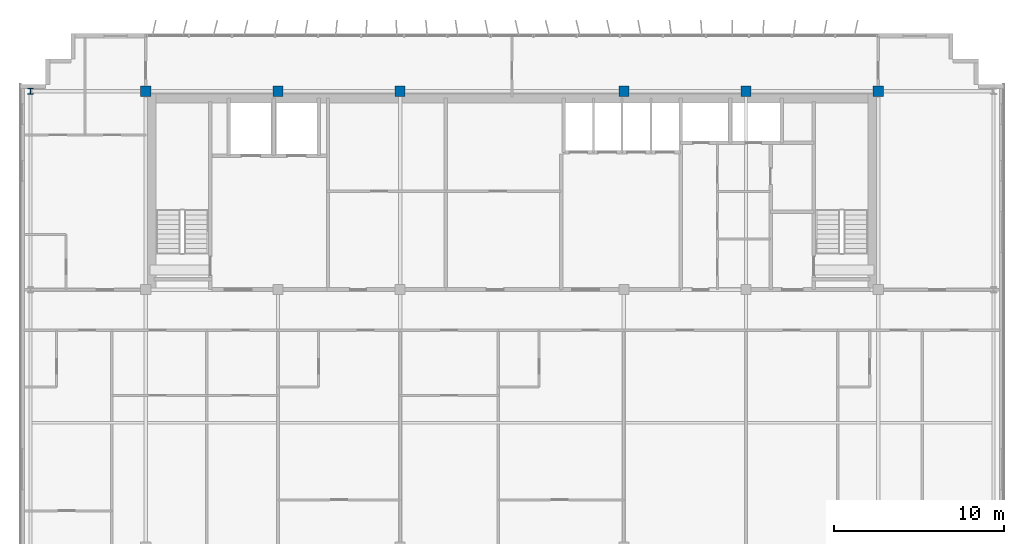
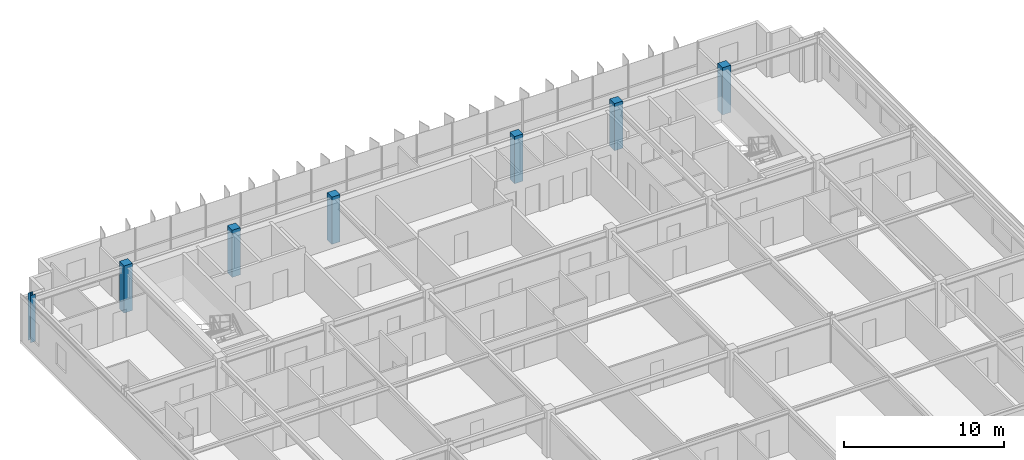
# One storey, part 3 of 23: 7 columns.
"""IFC4 building model written with IfcOpenShell, lengths in metres."""

from ifc_helpers import new_model, si_unit, direction, frame, origin, origin_2d, place, context, subcontext, project, spatial, rectangle, i_section, extrude, source, transform, mapped, material, material_profile, profile_set, type_object, element, save


model = new_model("IFC4")

# Units and contexts
model_context = context("Model", 3, precision=1e-05, world=origin(), true_north=direction((0.0, 1.0)))
body_context = subcontext(model_context, "Body", "Model", "MODEL_VIEW")
ifc_project = project(units=[si_unit("LENGTHUNIT", "METRE"), si_unit("AREAUNIT", "SQUARE_METRE"), si_unit("VOLUMEUNIT", "CUBIC_METRE"), si_unit("PLANEANGLEUNIT", "RADIAN"), si_unit("MASSUNIT", "GRAM", prefix="KILO")], contexts=[model_context])

# Site, building, storey
site_placement = place(None, origin())
site = spatial("IfcSite", under=ifc_project, at=site_placement, CompositionType="ELEMENT")
building_placement = place(site_placement, origin())
building = spatial("IfcBuilding", under=site, at=building_placement, Name="Trelvane Seafront Commons", CompositionType="ELEMENT")
storey_placement = place(building_placement, frame((0.0, 0.0, 259.5)))
storey = spatial("IfcBuildingStorey", under=building, at=storey_placement, Name="L67", CompositionType="ELEMENT", Elevation=259.5)

# Columns
ifc_material_1 = material(Name="Steel SM355 (S355)", Category="steel")
ifc_material_profile_1 = material_profile(ifc_material_1, i_section(OverallWidth=0.35009765625, OverallDepth=0.35009765625, WebThickness=0.01806640625, FlangeThickness=0.028076171875, at=origin_2d()), Name="HD-350x350x18x28")
ifc_profile_set_1 = profile_set([ifc_material_profile_1], Name="Steel SM355 (S355)")
column_type_1 = type_object("IfcColumnType", Name="STR-COL-HD350", PredefinedType="COLUMN", material=ifc_profile_set_1)
shared_shape_1 = source(origin(), body_context, "Body", "SweptSolid", [
    extrude(i_section(OverallWidth=0.35009765625, OverallDepth=0.35009765625, WebThickness=0.01806640625, FlangeThickness=0.028076171875, at=origin_2d()), origin(), (0.0, 0.0, 1.0), 3.60009765625),
])
column_placement = place(storey_placement, frame((8.800048828125, 45.10009765625, 0.0), z_axis=(0.0, 0.0, 1.0), x_axis=(1.0, 0.0, 0.0)))
element("IfcColumn", 1, at=column_placement, inside=storey, type_object=column_type_1, Name="L67 Column TC-CN8.8", PredefinedType="COLUMN", context=body_context, shape_type="MappedRepresentation", body=[
    mapped(shared_shape_1, transform((0.0, 0.0, 0.0), x_axis=(1.0, 0.0, 0.0), y_axis=(0.0, 1.0, 0.0), z_axis=(0.0, 0.0, 1.0), scale=1.0)),
])
ifc_material_2 = material(Name="Concrete C50/60", Category="concrete")
ifc_material_profile_2 = material_profile(ifc_material_2, rectangle(XDim=0.60009765625, YDim=0.60009765625, at=origin_2d()), Name="RC-600x600")
ifc_profile_set_2 = profile_set([ifc_material_profile_2], Name="Concrete C50/60")
column_type_2 = type_object("IfcColumnType", Name="STR-COL-RC600", PredefinedType="COLUMN", material=ifc_profile_set_2)
shared_shape_2 = source(origin(), body_context, "Body", "SweptSolid", [
    extrude(rectangle(XDim=0.60009765625, YDim=0.60009765625, at=origin_2d()), origin(), (0.0, 0.0, 1.0), 3.60009765625),
])
for number, where, z_axis, x_axis, name in (
    (2, (15.60009765625, 45.10009765625, 0.0), (0.0, 0.0, 1.0), (1.0, 0.0, 0.0), "L67 Column TC-CN15.6"),
    (3, (23.39990234375, 45.10009765625, 0.0), (0.0, 0.0, 1.0), (1.0, 0.0, 0.0), "L67 Column TC-CN23.4"),
    (4, (30.60009765625, 45.10009765625, 0.0), (0.0, 0.0, 1.0), (1.0, 0.0, 0.0), "L67 Column TC-CN30.6"),
    (5, (43.800048828125, 45.10009765625, 0.0), (0.0, 0.0, 1.0), (1.0, 0.0, 0.0), "L67 Column TC-CN43.8"),
    (6, (51.0, 45.10009765625, 0.0), (0.0, 0.0, 1.0), (1.0, 0.0, 0.0), "L67 Column TC-CN51.0"),
    (7, (58.800048828125, 45.10009765625, 0.0), (0.0, 0.0, 1.0), (1.0, 0.0, 0.0), "L67 Column TC-CN58.8"),
):
    element("IfcColumn", number, at=place(storey_placement, frame(where, z_axis=z_axis, x_axis=x_axis)), inside=storey, type_object=column_type_2, Name=name, PredefinedType="COLUMN", context=body_context, shape_type="MappedRepresentation", body=[
        mapped(shared_shape_2, transform((0.0, 0.0, 0.0), x_axis=(1.0, 0.0, 0.0), y_axis=(0.0, 1.0, 0.0), z_axis=(0.0, 0.0, 1.0), scale=1.0)),
    ])

save(model, "model.ifc")
